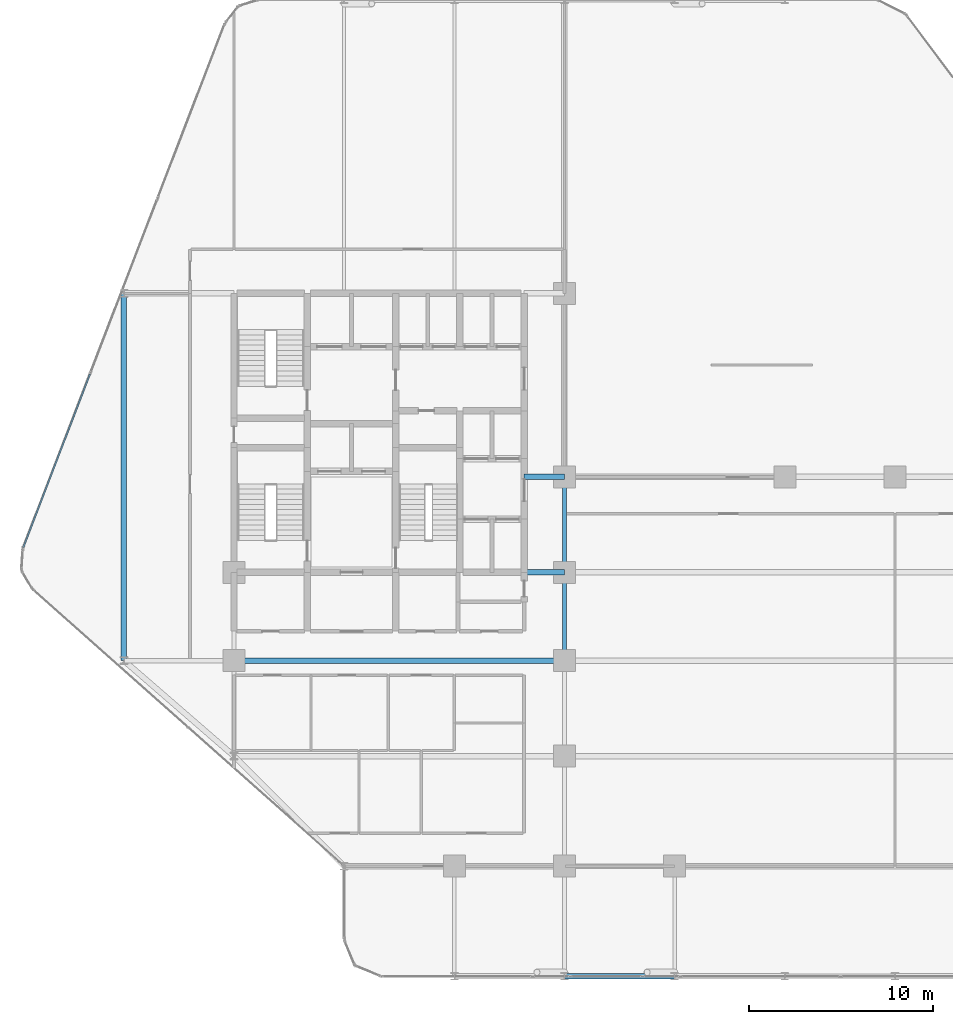
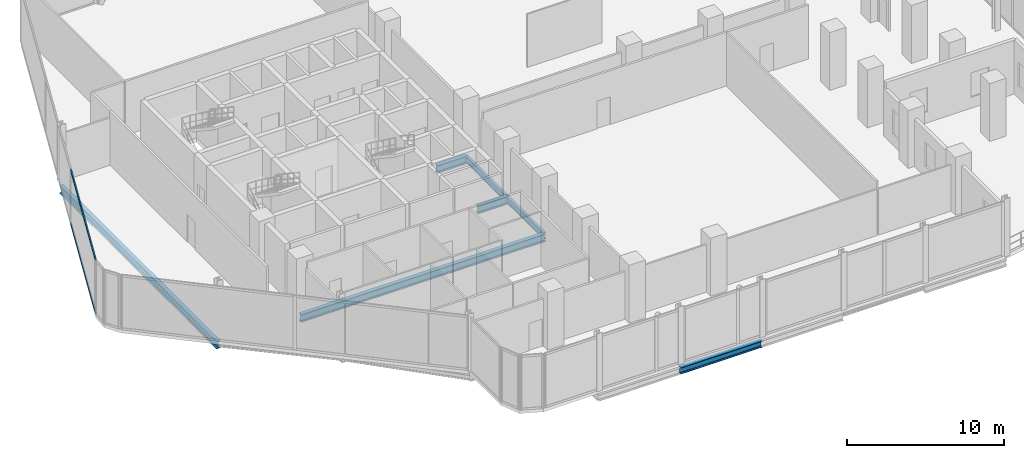
# One storey, part 7 of 30: 7 beams, 2 members, 1 element without a shape of its own.
"""IFC4 building model written with IfcOpenShell, lengths in metres."""

from ifc_helpers import new_model, si_unit, direction, frame, origin, origin_2d, place, context, subcontext, project, spatial, hollow_rectangle, i_section, extrude, material, layer, layer_set, material_profile, profile_set, type_object, element, aggregate, save


model = new_model("IFC4")

# Units and contexts
model_context = context("Model", 3, precision=1e-05, world=origin(), true_north=direction((0.0, 1.0)))
body_context = subcontext(model_context, "Body", "Model", "MODEL_VIEW")
ifc_project = project(units=[si_unit("LENGTHUNIT", "METRE"), si_unit("AREAUNIT", "SQUARE_METRE"), si_unit("VOLUMEUNIT", "CUBIC_METRE"), si_unit("PLANEANGLEUNIT", "RADIAN"), si_unit("MASSUNIT", "GRAM", prefix="KILO")], contexts=[model_context])

# Site, building, storey
site_placement = place(None, origin())
site = spatial("IfcSite", under=ifc_project, at=site_placement, CompositionType="ELEMENT")
building_placement = place(site_placement, origin())
building = spatial("IfcBuilding", under=site, at=building_placement, Name="Keshet Zoharim Tower", CompositionType="ELEMENT")
storey_placement = place(building_placement, frame((0.0, 0.0, 65.60009765625)))
storey = spatial("IfcBuildingStorey", under=building, at=storey_placement, Name="L15", CompositionType="ELEMENT", Elevation=65.60009765625)

# Beams
ifc_material_1 = material(Name="Steel S355", Category="steel")
ifc_material_profile_1 = material_profile(ifc_material_1, i_section(OverallWidth=0.300048828125, OverallDepth=0.60009765625, WebThickness=0.015380859375, FlangeThickness=0.030029296875, FilletRadius=0.027099609375, at=origin_2d()), Name="HEB600")
ifc_profile_set_1 = profile_set([ifc_material_profile_1], Name="Steel S355")
beam_type_1 = type_object("IfcBeamType", Name="BM-CLK-HB600", PredefinedType="BEAM", material=ifc_profile_set_1)
for number, where, z_axis, x_axis, name in (
    (1, (30.800048828125, 22.699951171875, -0.6201171875), (1.0, 0.0, 0.0), (0.0, 1.0, 0.0), "L15 Core Wall Link Girder 01"),
    (2, (30.800048828125, 27.89990234375, -0.6201171875), (1.0, 0.0, 0.0), (0.0, 1.0, 0.0), "L15 Core Wall Link Girder 02"),
):
    element("IfcBeam", number, at=place(storey_placement, frame(where, z_axis=z_axis, x_axis=x_axis)), inside=storey, type_object=beam_type_1, Name=name, PredefinedType="BEAM", context=body_context, shape_type="SweptSolid", body=[
        extrude(i_section(OverallWidth=0.300048828125, OverallDepth=0.60009765625, WebThickness=0.015380859375, FlangeThickness=0.030029296875, FilletRadius=0.027099609375, at=origin_2d()), origin(), (0.0, 0.0, 1.0), 2.199951171875),
    ])
ifc_material_profile_2 = material_profile(ifc_material_1, i_section(OverallWidth=0.300048828125, OverallDepth=0.60009765625, WebThickness=0.015380859375, FlangeThickness=0.030029296875, FilletRadius=0.027099609375, at=origin_2d()), Name="HEB600")
ifc_profile_set_2 = profile_set([ifc_material_profile_2], Name="Steel S355")
beam_type_2 = type_object("IfcBeamType", Name="BM-LNG-HB600", PredefinedType="BEAM", material=ifc_profile_set_2)
beam_1_placement = place(storey_placement, frame((15.0, 17.89990234375, -0.6201171875), z_axis=(1.0, 0.0, 0.0), x_axis=(0.0, 1.0, 0.0)))
element("IfcBeam", 3, at=beam_1_placement, inside=storey, type_object=beam_type_2, Name="L15 Primary Girder X-013", PredefinedType="BEAM", context=body_context, shape_type="SweptSolid", body=[
    extrude(i_section(OverallWidth=0.300048828125, OverallDepth=0.60009765625, WebThickness=0.015380859375, FlangeThickness=0.030029296875, FilletRadius=0.027099609375, at=origin_2d()), origin(), (0.0, 0.0, 1.0), 18.0),
])
beam_2_placement = place(storey_placement, frame((9.0, 17.89990234375, -0.6201171875), z_axis=(0.0, 1.0, 0.0), x_axis=(-1.0, 0.0, 0.0)))
element("IfcBeam", 4, at=beam_2_placement, inside=storey, type_object=beam_type_2, Name="L15 Primary Girder Y-001", PredefinedType="BEAM", context=body_context, shape_type="SweptSolid", body=[
    extrude(i_section(OverallWidth=0.300048828125, OverallDepth=0.60009765625, WebThickness=0.015380859375, FlangeThickness=0.030029296875, FilletRadius=0.027099609375, at=origin_2d()), origin(), (0.0, 0.0, 1.0), 20.0),
])
ifc_material_profile_3 = material_profile(ifc_material_1, i_section(OverallWidth=0.199951171875, OverallDepth=0.5, WebThickness=0.01025390625, FlangeThickness=0.01611328125, FilletRadius=0.02099609375, at=origin_2d()), Name="IPE500")
ifc_profile_set_3 = profile_set([ifc_material_profile_3], Name="Steel S355")
beam_type_3 = type_object("IfcBeamType", Name="BM-PRI-IP500", PredefinedType="BEAM", material=ifc_profile_set_3)
beam_3_placement = place(storey_placement, frame((33.0, 17.89990234375, -0.570068359375), z_axis=(0.0, 1.0, 0.0), x_axis=(-1.0, 0.0, 0.0)))
element("IfcBeam", 5, at=beam_3_placement, inside=storey, type_object=beam_type_3, Name="L15 Primary Girder Y-008", PredefinedType="BEAM", context=body_context, shape_type="SweptSolid", body=[
    extrude(i_section(OverallWidth=0.199951171875, OverallDepth=0.5, WebThickness=0.01025390625, FlangeThickness=0.01611328125, FilletRadius=0.02099609375, at=origin_2d()), origin(), (0.0, 0.0, 1.0), 4.800048828125),
])
beam_4_placement = place(storey_placement, frame((33.0, 22.699951171875, -0.570068359375), z_axis=(0.0, 1.0, 0.0), x_axis=(-1.0, 0.0, 0.0)))
element("IfcBeam", 6, at=beam_4_placement, inside=storey, type_object=beam_type_3, Name="L15 Primary Girder Y-009", PredefinedType="BEAM", context=body_context, shape_type="SweptSolid", body=[
    extrude(i_section(OverallWidth=0.199951171875, OverallDepth=0.5, WebThickness=0.01025390625, FlangeThickness=0.01611328125, FilletRadius=0.02099609375, at=origin_2d()), origin(), (0.0, 0.0, 1.0), 5.199951171875),
])
ifc_material_profile_4 = material_profile(ifc_material_1, i_section(OverallWidth=0.300048828125, OverallDepth=0.5, WebThickness=0.014404296875, FlangeThickness=0.028076171875, FilletRadius=0.027099609375, at=origin_2d()), Name="HEB500")
ifc_profile_set_4 = profile_set([ifc_material_profile_4], Name="Steel S355")
beam_type_4 = type_object("IfcBeamType", Name="BM-WEB-HB500", PredefinedType="BEAM", material=ifc_profile_set_4)
beam_5_placement = place(storey_placement, frame((33.0, 0.699951171875, -0.570068359375), z_axis=(1.0, 0.0, 0.0), x_axis=(0.0, 1.0, 0.0)))
element("IfcBeam", 7, at=beam_5_placement, inside=storey, type_object=beam_type_4, Name="L15 Primary Girder X-002", PredefinedType="BEAM", context=body_context, shape_type="SweptSolid", body=[
    extrude(i_section(OverallWidth=0.300048828125, OverallDepth=0.5, WebThickness=0.014404296875, FlangeThickness=0.028076171875, FilletRadius=0.027099609375, at=origin_2d()), origin(), (0.0, 0.0, 1.0), 6.0),
])

# Curtain wall, members
ifc_material_2 = material(Name="Aluminium 6063-T6", Category="aluminium")
ifc_layer = layer(ifc_material_2, 0.179931640625)
ifc_layer_set = layer_set([ifc_layer], Name="Aluminium 6063-T6")
curtain_wall_type = type_object("IfcCurtainWallType", Name="CW-SYS-01", PredefinedType="NOTDEFINED", material=ifc_layer_set)
curtain_wall_placement = place(storey_placement, origin())
curtain_wall = element("IfcCurtainWall", 8, at=curtain_wall_placement, inside=storey, type_object=curtain_wall_type, Name="L15 Unitised Curtain Wall 01", PredefinedType="NOTDEFINED")
ifc_material_profile_5 = material_profile(ifc_material_2, hollow_rectangle(XDim=0.0849609375, YDim=0.159912109375, WallThickness=0.00439453125, at=origin_2d()), Name="TRN-85x160")
ifc_profile_set_5 = profile_set([ifc_material_profile_5], Name="Aluminium 6063-T6")
member_type = type_object("IfcMemberType", Name="CWT-T16", PredefinedType="USERDEFINED", material=ifc_profile_set_5)
member_1_placement = place(storey_placement, frame((3.522216796875, 24.058349609375, 0.034912109375), z_axis=(0.358993631387, 0.93334000912, 0.0), x_axis=(-0.93334000912, 0.358993631387, 0.0)))
member_1 = element("IfcMember", 9, at=member_1_placement, type_object=member_type, Name="CW-01 transom 1.1", ObjectType="TRANSOM", PredefinedType="USERDEFINED", context=body_context, shape_type="SweptSolid", body=[
    extrude(hollow_rectangle(XDim=0.0849609375, YDim=0.159912109375, WallThickness=0.00439453125, at=origin_2d()), origin(), (0.0, 0.0, 1.0), 10.1181640625),
])
member_2_placement = place(storey_placement, frame((3.522216796875, 24.058349609375, 4.14990234375), z_axis=(0.358993631387, 0.93334000912, 0.0), x_axis=(-0.93334000912, 0.358993631387, 0.0)))
member_2 = element("IfcMember", 10, at=member_2_placement, type_object=member_type, Name="CW-01 transom 1.2", ObjectType="TRANSOM", PredefinedType="USERDEFINED", context=body_context, shape_type="SweptSolid", body=[
    extrude(hollow_rectangle(XDim=0.0849609375, YDim=0.159912109375, WallThickness=0.00439453125, at=origin_2d()), origin(), (0.0, 0.0, 1.0), 10.1181640625),
])
aggregate(curtain_wall, [member_1, member_2])

save(model, "model.ifc")
